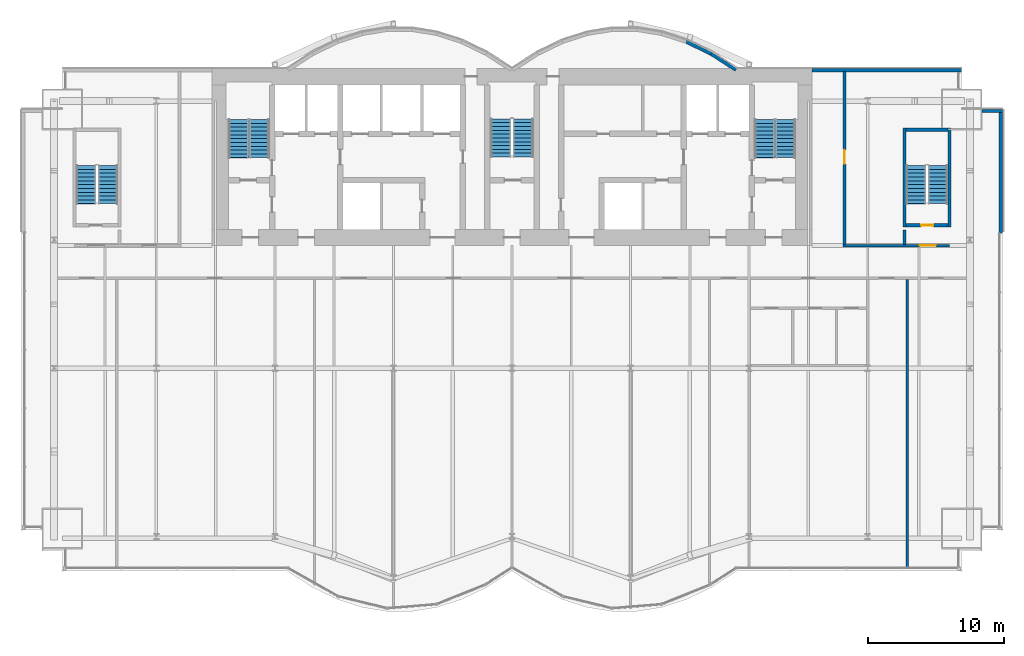
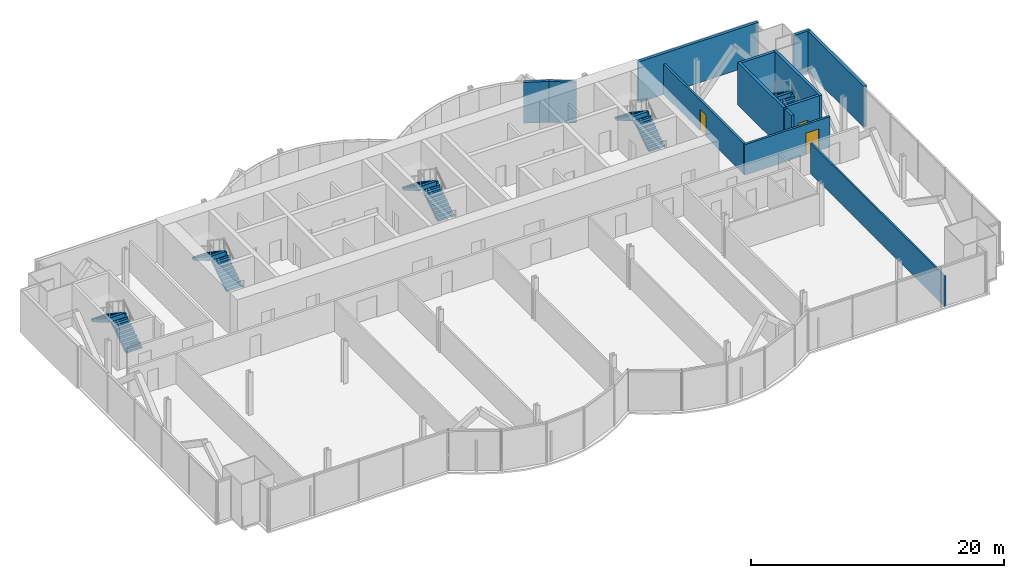
# One storey, part 18 of 21: 13 walls, 10 stair flights, 3 doors, 3 openings, 5 elements without a shape of their own.
"""IFC4 building model written with IfcOpenShell, lengths in metres."""

from ifc_helpers import new_model, si_unit, direction, frame, frame_2d, origin, place, context, subcontext, project, spatial, polyline, rectangle, outline, extrude, material, layer, layer_set, layer_usage, type_object, element, fill, aggregate, save


model = new_model("IFC4")

# Units and contexts
model_context = context("Model", 3, precision=1e-05, world=origin(), true_north=direction((0.0, 1.0)))
body_context = subcontext(model_context, "Body", "Model", "MODEL_VIEW")
ifc_project = project(units=[si_unit("LENGTHUNIT", "METRE"), si_unit("AREAUNIT", "SQUARE_METRE"), si_unit("VOLUMEUNIT", "CUBIC_METRE"), si_unit("PLANEANGLEUNIT", "RADIAN"), si_unit("MASSUNIT", "GRAM", prefix="KILO")], contexts=[model_context])

# Site, building, storey
site_placement = place(None, origin())
site = spatial("IfcSite", under=ifc_project, at=site_placement, CompositionType="ELEMENT")
building_placement = place(site_placement, origin())
building = spatial("IfcBuilding", under=site, at=building_placement, Name="Bicima Exchange Tower", CompositionType="ELEMENT")
storey_placement = place(building_placement, frame((0.0, 0.0, 126.800048828125)))
storey = spatial("IfcBuildingStorey", under=building, at=storey_placement, Name="L27", CompositionType="ELEMENT", Elevation=126.800048828125)

# Wall, opening, door
ifc_material_1 = material(Name="Gypsum board partition")
ifc_layer_1 = layer(ifc_material_1, 0.199951171875)
ifc_layer_set_1 = layer_set([ifc_layer_1], Name="Gypsum board partition")
wall_type_1 = type_object("IfcWallType", Name="Fire-rated gypsum partition 200 EI60", PredefinedType="PARTITIONING", material=ifc_layer_set_1)
wall_1_placement = place(storey_placement, frame((24.300048828125, -13.0, 0.0), z_axis=(0.0, 0.0, 1.0), x_axis=(1.0, 0.0, 0.0)))
wall_1 = element("IfcWall", 1, at=wall_1_placement, inside=storey, type_object=wall_type_1, Name="partition wall 5", PredefinedType="PARTITIONING", context=body_context, shape_type="SweptSolid", body=[
    extrude(rectangle(XDim=7.800048828125, YDim=0.199951171875, at=frame_2d((3.89990234375, 0.0))), origin(), (0.0, 0.0, 1.0), 2.939453125),
])
opening_1_placement = place(wall_1_placement, frame((5.60009765625, 0.0, 0.0)))
opening_1 = element("IfcOpeningElement", 2, at=opening_1_placement, cuts=wall_1, Name="Opening L27-003", PredefinedType="OPENING", context=body_context, shape_type="SweptSolid", body=[
    extrude(rectangle(XDim=1.199951171875, YDim=2.10009765625, at=frame_2d((0.60009765625, 1.050048828125))), frame((0.0, 0.11181640625, 0.0), z_axis=(0.0, -1.0, 0.0), x_axis=(1.0, 0.0, 0.0)), (0.0, 0.0, 1.0), 0.223876953125),
])
ifc_material_2 = material(Name="Steel fire door leaf", Category="steel")
door_type_1 = type_object("IfcDoorType", Name="Door 1200 swing FD30S", OperationType="SINGLE_SWING_LEFT", PredefinedType="DOOR", material=ifc_material_2)
door_1_placement = place(opening_1_placement, origin())
door_1 = element("IfcDoor", 3, at=door_1_placement, inside=storey, type_object=door_type_1, Name="Door", OperationType="SINGLE_SWING_RIGHT", OverallHeight=2.10009765625, OverallWidth=1.199951171875, PredefinedType="DOOR", context=body_context, shape_type="SweptSolid", body=[
    extrude(rectangle(XDim=1.199951171875, YDim=2.10009765625, at=frame_2d((0.60009765625, 1.050048828125))), frame((0.0, 0.02490234375, 0.0), z_axis=(0.0, -1.0, 0.0), x_axis=(1.0, 0.0, 0.0)), (0.0, 0.0, 1.0), 0.050048828125),
])
fill(opening_1, door_1)

wall_2_placement = place(storey_placement, frame((24.39990234375, -12.89990234375, 0.0), z_axis=(0.0, 0.0, 1.0), x_axis=(0.0, 1.0, 0.0)))
wall_2 = element("IfcWall", 4, at=wall_2_placement, inside=storey, type_object=wall_type_1, Name="partition wall 29", PredefinedType="PARTITIONING", context=body_context, shape_type="SweptSolid", body=[
    extrude(rectangle(XDim=12.68994140625, YDim=0.199951171875, at=frame_2d((6.344970703125, 0.0))), origin(), (0.0, 0.0, 1.0), 2.939453125),
])
opening_2_placement = place(wall_2_placement, frame((5.89990234375, 0.0, 0.0)))
opening_2 = element("IfcOpeningElement", 5, at=opening_2_placement, cuts=wall_2, Name="Opening L27-006", PredefinedType="OPENING", context=body_context, shape_type="SweptSolid", body=[
    extrude(rectangle(XDim=1.0, YDim=2.10009765625, at=frame_2d((0.5, 1.050048828125))), frame((0.0, 0.11181640625, 0.0), z_axis=(0.0, -1.0, 0.0), x_axis=(1.0, 0.0, 0.0)), (0.0, 0.0, 1.0), 0.223876953125),
])
door_type_2 = type_object("IfcDoorType", Name="Door 1000 swing FD30S", OperationType="SINGLE_SWING_LEFT", PredefinedType="DOOR", material=ifc_material_2)
door_2_placement = place(opening_2_placement, frame((1.0, 0.0, 0.0), z_axis=(0.0, 0.0, 1.0), x_axis=(-1.0, 0.0, 0.0)))
door_2 = element("IfcDoor", 6, at=door_2_placement, inside=storey, type_object=door_type_2, Name="Door", OperationType="SINGLE_SWING_RIGHT", OverallHeight=2.10009765625, OverallWidth=1.0, PredefinedType="DOOR", context=body_context, shape_type="SweptSolid", body=[
    extrude(rectangle(XDim=1.0, YDim=2.10009765625, at=frame_2d((0.5, 1.050048828125))), frame((0.0, 0.02490234375, 0.0), z_axis=(0.0, -1.0, 0.0), x_axis=(1.0, 0.0, 0.0)), (0.0, 0.0, 1.0), 0.050048828125),
])
fill(opening_2, door_2)

# Walls
ifc_layer_2 = layer(ifc_material_1, 0.14990234375)
ifc_layer_set_2 = layer_set([ifc_layer_2], Name="Gypsum board partition")
wall_type_2 = type_object("IfcWallType", Name="Gypsum partition 150", PredefinedType="PARTITIONING", material=ifc_layer_set_2)
wall_3_placement = place(storey_placement, frame((29.0, -36.669921875, 0.0), z_axis=(0.0, 0.0, 1.0), x_axis=(0.0, 1.0, 0.0)))
element("IfcWall", 7, at=wall_3_placement, inside=storey, type_object=wall_type_2, Name="partition wall 32", PredefinedType="PARTITIONING", context=body_context, shape_type="SweptSolid", body=[
    extrude(rectangle(XDim=21.169921875, YDim=0.14990234375, at=frame_2d((10.5849609375, 0.0))), origin(), (0.0, 0.0, 1.0), 2.939453125),
])
ifc_material_3 = material(Name="Concrete C50/60", Category="concrete")
ifc_layer_3 = layer(ifc_material_3, 0.25)
ifc_layer_set_3 = layer_set([ifc_layer_3], Name="Concrete C50/60")
wall_type_3 = type_object("IfcWallType", Name="RC core wall 250 C50/60", PredefinedType="SHEAR", material=ifc_layer_set_3)
wall_4_placement = place(storey_placement, frame((28.800048828125, -12.89990234375, 0.0), z_axis=(0.0, 0.0, 1.0), x_axis=(0.0, 1.0, 0.0)))
element("IfcWall", 8, at=wall_4_placement, inside=storey, type_object=wall_type_3, Name="stair wall 31", PredefinedType="SHEAR", context=body_context, shape_type="SweptSolid", body=[
    extrude(rectangle(XDim=1.0498046875, YDim=0.25, at=frame_2d((0.52490234375, 0.0))), origin(), (0.0, 0.0, 1.0), 4.099853515625),
])
ifc_layer_4 = layer(ifc_material_3, 0.25)
ifc_layer_set_4 = layer_set([ifc_layer_4], Name="Concrete C50/60")
wall_type_4 = type_object("IfcWallType", Name="RC stair enclosure wall 250 C50/60", PredefinedType="SHEAR", material=ifc_layer_set_4)
for number, where, z_axis, x_axis, name in (
    (9, (28.800048828125, -11.625, 0.0), (0.0, 0.0, 1.0), (0.0, 1.0, 0.0), "East end exit stair wall W"),
    (10, (32.10009765625, -11.625, 0.0), (0.0, 0.0, 1.0), (0.0, 1.0, 0.0), "East end exit stair wall E"),
):
    element("IfcWall", number, at=place(storey_placement, frame(where, z_axis=z_axis, x_axis=x_axis)), inside=storey, type_object=wall_type_4, Name=name, PredefinedType="SHEAR", context=body_context, shape_type="SweptSolid", body=[
        extrude(rectangle(XDim=7.25, YDim=0.25, at=frame_2d((3.625, 0.0))), origin(), (0.0, 0.0, 1.0), 4.099853515625),
    ])

# Wall, opening, door
wall_5_placement = place(storey_placement, frame((28.925048828125, -11.5, 0.0), z_axis=(0.0, 0.0, 1.0), x_axis=(1.0, 0.0, 0.0)))
wall_5 = element("IfcWall", 11, at=wall_5_placement, inside=storey, type_object=wall_type_4, Name="East end exit stair wall S", PredefinedType="SHEAR", context=body_context, shape_type="SweptSolid", body=[
    extrude(rectangle(XDim=3.050048828125, YDim=0.25, at=frame_2d((1.52490234375, 0.0))), origin(), (0.0, 0.0, 1.0), 4.099853515625),
])
opening_3_placement = place(wall_5_placement, frame((1.10009765625, 0.0, 0.0)))
opening_3 = element("IfcOpeningElement", 12, at=opening_3_placement, cuts=wall_5, Name="Opening L27-004", PredefinedType="OPENING", context=body_context, shape_type="SweptSolid", body=[
    extrude(rectangle(XDim=0.89990234375, YDim=2.10009765625, at=frame_2d((0.449951171875, 1.050048828125))), frame((0.0, 0.136962890625, 0.0), z_axis=(0.0, -1.0, 0.0), x_axis=(1.0, 0.0, 0.0)), (0.0, 0.0, 1.0), 0.27392578125),
])
door_type_3 = type_object("IfcDoorType", Name="Door 900 swing FD60S", OperationType="SINGLE_SWING_LEFT", PredefinedType="DOOR", material=ifc_material_2)
door_3_placement = place(opening_3_placement, origin())
door_3 = element("IfcDoor", 13, at=door_3_placement, inside=storey, type_object=door_type_3, Name="Door", OperationType="SINGLE_SWING_LEFT", OverallHeight=2.10009765625, OverallWidth=0.89990234375, PredefinedType="DOOR", context=body_context, shape_type="SweptSolid", body=[
    extrude(rectangle(XDim=0.89990234375, YDim=2.10009765625, at=frame_2d((0.449951171875, 1.050048828125))), frame((0.0, 0.02490234375, 0.0), z_axis=(0.0, -1.0, 0.0), x_axis=(1.0, 0.0, 0.0)), (0.0, 0.0, 1.0), 0.050048828125),
])
fill(opening_3, door_3)

# Walls
wall_6_placement = place(storey_placement, frame((28.925048828125, -4.5, 0.0), z_axis=(0.0, 0.0, 1.0), x_axis=(1.0, 0.0, 0.0)))
element("IfcWall", 14, at=wall_6_placement, inside=storey, type_object=wall_type_4, Name="East end exit stair wall N", PredefinedType="SHEAR", context=body_context, shape_type="SweptSolid", body=[
    extrude(rectangle(XDim=3.050048828125, YDim=0.25, at=frame_2d((1.52490234375, 0.0))), origin(), (0.0, 0.0, 1.0), 4.099853515625),
])
ifc_material_4 = material(Name="Concrete C40/50", Category="concrete")
ifc_layer_5 = layer(ifc_material_4, 0.25)
ifc_layer_set_5 = layer_set([ifc_layer_5], Name="Concrete C40/50")
ifc_layer_usage = layer_usage(ifc_layer_set_5, "AXIS2", "POSITIVE", -0.125)
wall_type_5 = type_object("IfcWallType", Name="Rear backup wall 250", PredefinedType="STANDARD", material=ifc_layer_set_5)
wall_7_placement = place(storey_placement, frame((33.0, -0.125, 0.0), z_axis=(0.0, 0.0, 1.0), x_axis=(-1.0, 0.0, 0.0)))
element("IfcWall", 15, at=wall_7_placement, inside=storey, type_object=wall_type_5, material=ifc_layer_usage, Name="Rear backup wall L27 1", PredefinedType="STANDARD", context=body_context, shape_type="SweptSolid", body=[
    extrude(rectangle(XDim=11.0, YDim=0.25, at=frame_2d((5.5, 0.0))), origin(), (0.0, 0.0, 1.0), 3.949951171875),
])
wall_8_placement = place(storey_placement, frame((16.43212890625, -0.10498046875, 0.0), z_axis=(0.0, 0.0, 1.0), x_axis=(-0.83981312244, 0.542875602121, 0.0)))
element("IfcWall", 16, at=wall_8_placement, inside=storey, type_object=wall_type_5, material=ifc_layer_usage, Name="Rear backup wall L27 2", PredefinedType="STANDARD", context=body_context, shape_type="SweptSolid", body=[
    extrude(rectangle(XDim=2.182861328125, YDim=0.25, at=frame_2d((1.09130859375, 0.0))), origin(), (0.0, 0.0, 1.0), 3.949951171875),
])
wall_9_placement = place(storey_placement, frame((14.6123046875, 1.07275390625, 0.0), z_axis=(0.0, 0.0, 1.0), x_axis=(-0.89982408427, 0.436252928206, 0.0)))
element("IfcWall", 17, at=wall_9_placement, inside=storey, type_object=wall_type_5, material=ifc_layer_usage, Name="Rear backup wall L27 3", PredefinedType="STANDARD", context=body_context, shape_type="SweptSolid", body=[
    extrude(rectangle(XDim=2.03759765625, YDim=0.25, at=frame_2d((1.018798828125, 0.0))), origin(), (0.0, 0.0, 1.0), 3.949951171875),
])
wall_10_placement = place(storey_placement, frame((35.875, -12.090087890625, 0.0), z_axis=(0.0, 0.0, 1.0), x_axis=(0.0, 1.0, 0.0)))
element("IfcWall", 18, at=wall_10_placement, inside=storey, type_object=wall_type_5, material=ifc_layer_usage, Name="Rear backup wall L27 50", PredefinedType="STANDARD", context=body_context, shape_type="SweptSolid", body=[
    extrude(rectangle(XDim=9.090087890625, YDim=0.25, at=frame_2d((4.544921875, 0.0))), origin(), (0.0, 0.0, 1.0), 3.949951171875),
])
wall_11_placement = place(storey_placement, frame((36.0, -3.125, 0.0), z_axis=(0.0, 0.0, 1.0), x_axis=(-1.0, 0.0, 0.0)))
element("IfcWall", 19, at=wall_11_placement, inside=storey, type_object=wall_type_5, material=ifc_layer_usage, Name="Rear backup wall L27 51", PredefinedType="STANDARD", context=body_context, shape_type="SweptSolid", body=[
    extrude(rectangle(XDim=1.5, YDim=0.25, at=frame_2d((0.75, 0.0))), origin(), (0.0, 0.0, 1.0), 3.949951171875),
])

# Stair, stair flights
stair_type_1 = type_object("IfcStairType", Name="Exit stair", PredefinedType="HALF_TURN_STAIR", material=ifc_material_3)
stair_1_placement = place(storey_placement, origin())
stair_1 = element("IfcStair", 20, at=stair_1_placement, inside=storey, type_object=stair_type_1, Name="L27 West exit stair", PredefinedType="HALF_TURN_STAIR")
stair_flight_type_1 = type_object("IfcStairFlightType", Name="Stair flight RC", PredefinedType="STRAIGHT", material=ifc_material_3)
stair_flight_1_placement = place(storey_placement, frame((-18.52490234375, -6.550048828125, 0.0), z_axis=(0.0, 0.0, 1.0), x_axis=(0.0, 1.0, 0.0)))
stair_flight_1 = element("IfcStairFlight", 21, at=stair_flight_1_placement, type_object=stair_flight_type_1, Name="ST-W flight 1", NumberOfRisers=11, NumberOfTreads=10, PredefinedType="STRAIGHT", RiserHeight=0.186363636, TreadLength=0.28, context=body_context, shape_type="SweptSolid", body=[
    extrude(outline(polyline([(0.0, 0.0), (0.0, 0.186279296875), (0.280029296875, 0.186279296875), (0.280029296875, 0.372802734375), (0.56005859375, 0.372802734375), (0.56005859375, 0.55908203125), (0.840087890625, 0.55908203125), (0.840087890625, 0.745361328125), (1.1201171875, 0.745361328125), (1.1201171875, 0.931884765625), (1.39990234375, 0.931884765625), (1.39990234375, 1.1181640625), (1.679931640625, 1.1181640625), (1.679931640625, 1.304443359375), (1.9599609375, 1.304443359375), (1.9599609375, 1.490966796875), (2.239990234375, 1.490966796875), (2.239990234375, 1.67724609375), (2.52001953125, 1.67724609375), (2.52001953125, 1.863525390625), (2.800048828125, 1.863525390625), (2.800048828125, 2.050048828125), (2.800048828125, 1.68359375), (0.2705078125, 0.0), (0.0, 0.0)])), frame((0.0, 0.72509765625, 0.0), z_axis=(0.0, -1.0, 0.0), x_axis=(1.0, 0.0, 0.0)), (0.0, 0.0, 1.0), 1.449951171875),
])
stair_flight_2_placement = place(storey_placement, frame((-20.074951171875, -3.75, 2.050048828125), z_axis=(0.0, 0.0, 1.0), x_axis=(0.0, -1.0, 0.0)))
stair_flight_2 = element("IfcStairFlight", 22, at=stair_flight_2_placement, type_object=stair_flight_type_1, Name="ST-W flight 2", NumberOfRisers=11, NumberOfTreads=10, PredefinedType="STRAIGHT", RiserHeight=0.186363636, TreadLength=0.28, context=body_context, shape_type="SweptSolid", body=[
    extrude(outline(polyline([(0.0, 0.0), (0.0, 0.186279296875), (0.280029296875, 0.186279296875), (0.280029296875, 0.372802734375), (0.56005859375, 0.372802734375), (0.56005859375, 0.55908203125), (0.840087890625, 0.55908203125), (0.840087890625, 0.745361328125), (1.1201171875, 0.745361328125), (1.1201171875, 0.931884765625), (1.39990234375, 0.931884765625), (1.39990234375, 1.1181640625), (1.679931640625, 1.1181640625), (1.679931640625, 1.304443359375), (1.9599609375, 1.304443359375), (1.9599609375, 1.490966796875), (2.239990234375, 1.490966796875), (2.239990234375, 1.67724609375), (2.52001953125, 1.67724609375), (2.52001953125, 1.863525390625), (2.800048828125, 1.863525390625), (2.800048828125, 1.904052734375), (2.81494140625, 1.904052734375), (2.81494140625, 1.507080078125), (0.2705078125, 0.0), (0.0, 0.0)])), frame((0.0, 0.72509765625, 0.0), z_axis=(0.0, -1.0, 0.0), x_axis=(1.0, 0.0, 0.0)), (0.0, 0.0, 1.0), 1.449951171875),
])
aggregate(stair_1, [stair_flight_1, stair_flight_2])

stair_2_placement = place(storey_placement, origin())
stair_2 = element("IfcStair", 23, at=stair_2_placement, inside=storey, type_object=stair_type_1, Name="L27 East exit stair", PredefinedType="HALF_TURN_STAIR")
stair_flight_3_placement = place(storey_placement, frame((20.074951171875, -6.550048828125, 0.0), z_axis=(0.0, 0.0, 1.0), x_axis=(0.0, 1.0, 0.0)))
stair_flight_3 = element("IfcStairFlight", 24, at=stair_flight_3_placement, type_object=stair_flight_type_1, Name="ST-E flight 1", NumberOfRisers=11, NumberOfTreads=10, PredefinedType="STRAIGHT", RiserHeight=0.186363636, TreadLength=0.28, context=body_context, shape_type="SweptSolid", body=[
    extrude(outline(polyline([(0.0, 0.0), (0.0, 0.186279296875), (0.280029296875, 0.186279296875), (0.280029296875, 0.372802734375), (0.56005859375, 0.372802734375), (0.56005859375, 0.55908203125), (0.840087890625, 0.55908203125), (0.840087890625, 0.745361328125), (1.1201171875, 0.745361328125), (1.1201171875, 0.931884765625), (1.39990234375, 0.931884765625), (1.39990234375, 1.1181640625), (1.679931640625, 1.1181640625), (1.679931640625, 1.304443359375), (1.9599609375, 1.304443359375), (1.9599609375, 1.490966796875), (2.239990234375, 1.490966796875), (2.239990234375, 1.67724609375), (2.52001953125, 1.67724609375), (2.52001953125, 1.863525390625), (2.800048828125, 1.863525390625), (2.800048828125, 2.050048828125), (2.800048828125, 1.68359375), (0.2705078125, 0.0), (0.0, 0.0)])), frame((0.0, 0.72509765625, 0.0), z_axis=(0.0, -1.0, 0.0), x_axis=(1.0, 0.0, 0.0)), (0.0, 0.0, 1.0), 1.449951171875),
])
stair_flight_4_placement = place(storey_placement, frame((18.52490234375, -3.75, 2.050048828125), z_axis=(0.0, 0.0, 1.0), x_axis=(0.0, -1.0, 0.0)))
stair_flight_4 = element("IfcStairFlight", 25, at=stair_flight_4_placement, type_object=stair_flight_type_1, Name="ST-E flight 2", NumberOfRisers=11, NumberOfTreads=10, PredefinedType="STRAIGHT", RiserHeight=0.186363636, TreadLength=0.28, context=body_context, shape_type="SweptSolid", body=[
    extrude(outline(polyline([(0.0, 0.0), (0.0, 0.186279296875), (0.280029296875, 0.186279296875), (0.280029296875, 0.372802734375), (0.56005859375, 0.372802734375), (0.56005859375, 0.55908203125), (0.840087890625, 0.55908203125), (0.840087890625, 0.745361328125), (1.1201171875, 0.745361328125), (1.1201171875, 0.931884765625), (1.39990234375, 0.931884765625), (1.39990234375, 1.1181640625), (1.679931640625, 1.1181640625), (1.679931640625, 1.304443359375), (1.9599609375, 1.304443359375), (1.9599609375, 1.490966796875), (2.239990234375, 1.490966796875), (2.239990234375, 1.67724609375), (2.52001953125, 1.67724609375), (2.52001953125, 1.863525390625), (2.800048828125, 1.863525390625), (2.800048828125, 1.904052734375), (2.81494140625, 1.904052734375), (2.81494140625, 1.507080078125), (0.2705078125, 0.0), (0.0, 0.0)])), frame((0.0, 0.72509765625, 0.0), z_axis=(0.0, -1.0, 0.0), x_axis=(1.0, 0.0, 0.0)), (0.0, 0.0, 1.0), 1.449951171875),
])
aggregate(stair_2, [stair_flight_3, stair_flight_4])

stair_3_placement = place(storey_placement, origin())
stair_3 = element("IfcStair", 26, at=stair_3_placement, inside=storey, type_object=stair_type_1, Name="L27 West end exit stair", PredefinedType="HALF_TURN_STAIR")
stair_flight_5_placement = place(storey_placement, frame((-29.64990234375, -9.925048828125, 0.0), z_axis=(0.0, 0.0, 1.0), x_axis=(0.0, 1.0, 0.0)))
stair_flight_5 = element("IfcStairFlight", 27, at=stair_flight_5_placement, type_object=stair_flight_type_1, Name="ST-WW flight 1", NumberOfRisers=11, NumberOfTreads=10, PredefinedType="STRAIGHT", RiserHeight=0.186363636, TreadLength=0.28, context=body_context, shape_type="SweptSolid", body=[
    extrude(outline(polyline([(0.0, 0.0), (0.0, 0.186279296875), (0.280029296875, 0.186279296875), (0.280029296875, 0.372802734375), (0.56005859375, 0.372802734375), (0.56005859375, 0.55908203125), (0.840087890625, 0.55908203125), (0.840087890625, 0.745361328125), (1.1201171875, 0.745361328125), (1.1201171875, 0.931884765625), (1.39990234375, 0.931884765625), (1.39990234375, 1.1181640625), (1.679931640625, 1.1181640625), (1.679931640625, 1.304443359375), (1.9599609375, 1.304443359375), (1.9599609375, 1.490966796875), (2.239990234375, 1.490966796875), (2.239990234375, 1.67724609375), (2.52001953125, 1.67724609375), (2.52001953125, 1.863525390625), (2.800048828125, 1.863525390625), (2.800048828125, 2.050048828125), (2.800048828125, 1.68359375), (0.2705078125, 0.0), (0.0, 0.0)])), frame((0.0, 0.72509765625, 0.0), z_axis=(0.0, -1.0, 0.0), x_axis=(1.0, 0.0, 0.0)), (0.0, 0.0, 1.0), 1.449951171875),
])
stair_flight_6_placement = place(storey_placement, frame((-31.25, -7.125, 2.050048828125), z_axis=(0.0, 0.0, 1.0), x_axis=(0.0, -1.0, 0.0)))
stair_flight_6 = element("IfcStairFlight", 28, at=stair_flight_6_placement, type_object=stair_flight_type_1, Name="ST-WW flight 2", NumberOfRisers=11, NumberOfTreads=10, PredefinedType="STRAIGHT", RiserHeight=0.186363636, TreadLength=0.28, context=body_context, shape_type="SweptSolid", body=[
    extrude(outline(polyline([(0.0, 0.0), (0.0, 0.186279296875), (0.280029296875, 0.186279296875), (0.280029296875, 0.372802734375), (0.56005859375, 0.372802734375), (0.56005859375, 0.55908203125), (0.840087890625, 0.55908203125), (0.840087890625, 0.745361328125), (1.1201171875, 0.745361328125), (1.1201171875, 0.931884765625), (1.39990234375, 0.931884765625), (1.39990234375, 1.1181640625), (1.679931640625, 1.1181640625), (1.679931640625, 1.304443359375), (1.9599609375, 1.304443359375), (1.9599609375, 1.490966796875), (2.239990234375, 1.490966796875), (2.239990234375, 1.67724609375), (2.52001953125, 1.67724609375), (2.52001953125, 1.863525390625), (2.800048828125, 1.863525390625), (2.800048828125, 1.904052734375), (2.81494140625, 1.904052734375), (2.81494140625, 1.507080078125), (0.2705078125, 0.0), (0.0, 0.0)])), frame((0.0, 0.72509765625, 0.0), z_axis=(0.0, -1.0, 0.0), x_axis=(1.0, 0.0, 0.0)), (0.0, 0.0, 1.0), 1.449951171875),
])
aggregate(stair_3, [stair_flight_5, stair_flight_6])

stair_4_placement = place(storey_placement, origin())
stair_4 = element("IfcStair", 29, at=stair_4_placement, inside=storey, type_object=stair_type_1, Name="L27 East end exit stair", PredefinedType="HALF_TURN_STAIR")
stair_flight_7_placement = place(storey_placement, frame((31.25, -9.925048828125, 0.0), z_axis=(0.0, 0.0, 1.0), x_axis=(0.0, 1.0, 0.0)))
stair_flight_7 = element("IfcStairFlight", 30, at=stair_flight_7_placement, type_object=stair_flight_type_1, Name="ST-EE flight 1", NumberOfRisers=11, NumberOfTreads=10, PredefinedType="STRAIGHT", RiserHeight=0.186363636, TreadLength=0.28, context=body_context, shape_type="SweptSolid", body=[
    extrude(outline(polyline([(0.0, 0.0), (0.0, 0.186279296875), (0.280029296875, 0.186279296875), (0.280029296875, 0.372802734375), (0.56005859375, 0.372802734375), (0.56005859375, 0.55908203125), (0.840087890625, 0.55908203125), (0.840087890625, 0.745361328125), (1.1201171875, 0.745361328125), (1.1201171875, 0.931884765625), (1.39990234375, 0.931884765625), (1.39990234375, 1.1181640625), (1.679931640625, 1.1181640625), (1.679931640625, 1.304443359375), (1.9599609375, 1.304443359375), (1.9599609375, 1.490966796875), (2.239990234375, 1.490966796875), (2.239990234375, 1.67724609375), (2.52001953125, 1.67724609375), (2.52001953125, 1.863525390625), (2.800048828125, 1.863525390625), (2.800048828125, 2.050048828125), (2.800048828125, 1.68359375), (0.2705078125, 0.0), (0.0, 0.0)])), frame((0.0, 0.72509765625, 0.0), z_axis=(0.0, -1.0, 0.0), x_axis=(1.0, 0.0, 0.0)), (0.0, 0.0, 1.0), 1.449951171875),
])
stair_flight_8_placement = place(storey_placement, frame((29.64990234375, -7.125, 2.050048828125), z_axis=(0.0, 0.0, 1.0), x_axis=(0.0, -1.0, 0.0)))
stair_flight_8 = element("IfcStairFlight", 31, at=stair_flight_8_placement, type_object=stair_flight_type_1, Name="ST-EE flight 2", NumberOfRisers=11, NumberOfTreads=10, PredefinedType="STRAIGHT", RiserHeight=0.186363636, TreadLength=0.28, context=body_context, shape_type="SweptSolid", body=[
    extrude(outline(polyline([(0.0, 0.0), (0.0, 0.186279296875), (0.280029296875, 0.186279296875), (0.280029296875, 0.372802734375), (0.56005859375, 0.372802734375), (0.56005859375, 0.55908203125), (0.840087890625, 0.55908203125), (0.840087890625, 0.745361328125), (1.1201171875, 0.745361328125), (1.1201171875, 0.931884765625), (1.39990234375, 0.931884765625), (1.39990234375, 1.1181640625), (1.679931640625, 1.1181640625), (1.679931640625, 1.304443359375), (1.9599609375, 1.304443359375), (1.9599609375, 1.490966796875), (2.239990234375, 1.490966796875), (2.239990234375, 1.67724609375), (2.52001953125, 1.67724609375), (2.52001953125, 1.863525390625), (2.800048828125, 1.863525390625), (2.800048828125, 1.904052734375), (2.81494140625, 1.904052734375), (2.81494140625, 1.507080078125), (0.2705078125, 0.0), (0.0, 0.0)])), frame((0.0, 0.72509765625, 0.0), z_axis=(0.0, -1.0, 0.0), x_axis=(1.0, 0.0, 0.0)), (0.0, 0.0, 1.0), 1.449951171875),
])
aggregate(stair_4, [stair_flight_7, stair_flight_8])

stair_type_2 = type_object("IfcStairType", Name="Exit stair 1500", PredefinedType="HALF_TURN_STAIR", material=ifc_material_3)
stair_5_placement = place(storey_placement, origin())
stair_5 = element("IfcStair", 32, at=stair_5_placement, inside=storey, type_object=stair_type_2, Name="L27 Central exit stair", PredefinedType="HALF_TURN_STAIR")
stair_flight_type_2 = type_object("IfcStairFlightType", Name="Stair flight RC 1500", PredefinedType="STRAIGHT", material=ifc_material_3)
stair_flight_9_placement = place(storey_placement, frame((0.824951171875, -6.5, 0.0), z_axis=(0.0, 0.0, 1.0), x_axis=(0.0, 1.0, 0.0)))
stair_flight_9 = element("IfcStairFlight", 33, at=stair_flight_9_placement, type_object=stair_flight_type_2, Name="ST-C flight 1", NumberOfRisers=11, NumberOfTreads=10, PredefinedType="STRAIGHT", RiserHeight=0.186363636, TreadLength=0.28, context=body_context, shape_type="SweptSolid", body=[
    extrude(outline(polyline([(0.0, 0.0), (0.0, 0.186279296875), (0.280029296875, 0.186279296875), (0.280029296875, 0.372802734375), (0.56005859375, 0.372802734375), (0.56005859375, 0.55908203125), (0.840087890625, 0.55908203125), (0.840087890625, 0.745361328125), (1.1201171875, 0.745361328125), (1.1201171875, 0.931884765625), (1.39990234375, 0.931884765625), (1.39990234375, 1.1181640625), (1.679931640625, 1.1181640625), (1.679931640625, 1.304443359375), (1.9599609375, 1.304443359375), (1.9599609375, 1.490966796875), (2.239990234375, 1.490966796875), (2.239990234375, 1.67724609375), (2.52001953125, 1.67724609375), (2.52001953125, 1.863525390625), (2.800048828125, 1.863525390625), (2.800048828125, 2.050048828125), (2.800048828125, 1.68359375), (0.2705078125, 0.0), (0.0, 0.0)])), frame((0.0, 0.75, 0.0), z_axis=(0.0, -1.0, 0.0), x_axis=(1.0, 0.0, 0.0)), (0.0, 0.0, 1.0), 1.5),
])
stair_flight_10_placement = place(storey_placement, frame((-0.824951171875, -3.699951171875, 2.050048828125), z_axis=(0.0, 0.0, 1.0), x_axis=(0.0, -1.0, 0.0)))
stair_flight_10 = element("IfcStairFlight", 34, at=stair_flight_10_placement, type_object=stair_flight_type_2, Name="ST-C flight 2", NumberOfRisers=11, NumberOfTreads=10, PredefinedType="STRAIGHT", RiserHeight=0.186363636, TreadLength=0.28, context=body_context, shape_type="SweptSolid", body=[
    extrude(outline(polyline([(0.0, 0.0), (0.0, 0.186279296875), (0.280029296875, 0.186279296875), (0.280029296875, 0.372802734375), (0.56005859375, 0.372802734375), (0.56005859375, 0.55908203125), (0.840087890625, 0.55908203125), (0.840087890625, 0.745361328125), (1.1201171875, 0.745361328125), (1.1201171875, 0.931884765625), (1.39990234375, 0.931884765625), (1.39990234375, 1.1181640625), (1.679931640625, 1.1181640625), (1.679931640625, 1.304443359375), (1.9599609375, 1.304443359375), (1.9599609375, 1.490966796875), (2.239990234375, 1.490966796875), (2.239990234375, 1.67724609375), (2.52001953125, 1.67724609375), (2.52001953125, 1.863525390625), (2.800048828125, 1.863525390625), (2.800048828125, 1.904052734375), (2.81494140625, 1.904052734375), (2.81494140625, 1.507080078125), (0.2705078125, 0.0), (0.0, 0.0)])), frame((0.0, 0.75, 0.0), z_axis=(0.0, -1.0, 0.0), x_axis=(1.0, 0.0, 0.0)), (0.0, 0.0, 1.0), 1.5),
])
aggregate(stair_5, [stair_flight_9, stair_flight_10])

save(model, "model.ifc")
